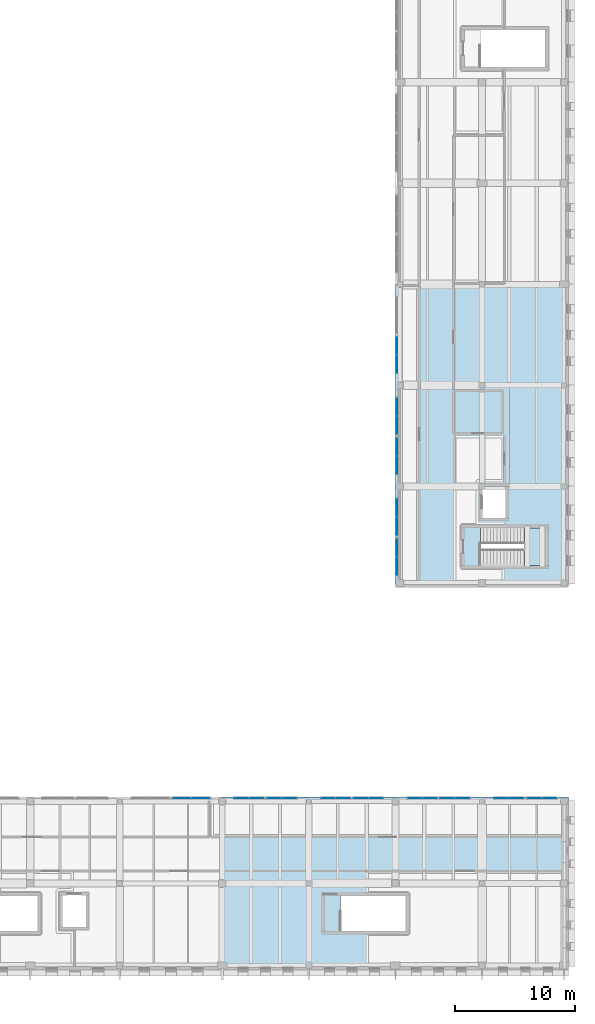
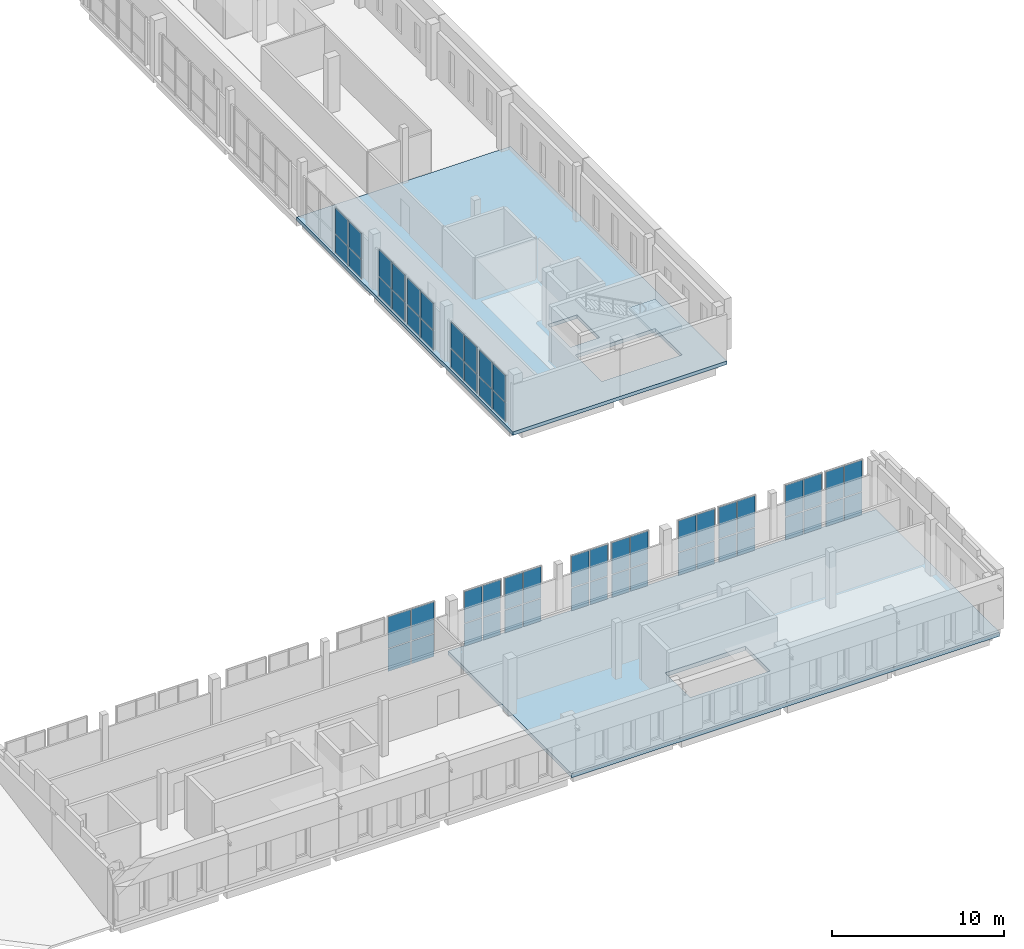
# One storey, part 33 of 56: 56 plates, 3 slabs, 15 elements without a shape of their own.
"""IFC4 building model written with IfcOpenShell, lengths in metres."""

from ifc_helpers import new_model, si_unit, direction, frame, origin, origin_2d, place, context, subcontext, project, spatial, polyline, rectangle, outline, extrude, material, layer, layer_set, type_object, element, aggregate, save


model = new_model("IFC4")

# Units and contexts
model_context = context("Model", 3, precision=1e-05, world=origin(), true_north=direction((0.0, 1.0)))
body_context = subcontext(model_context, "Body", "Model", "MODEL_VIEW")
ifc_project = project(units=[si_unit("LENGTHUNIT", "METRE"), si_unit("AREAUNIT", "SQUARE_METRE"), si_unit("VOLUMEUNIT", "CUBIC_METRE"), si_unit("PLANEANGLEUNIT", "RADIAN"), si_unit("MASSUNIT", "GRAM", prefix="KILO")], contexts=[model_context])

# Site, building, storey
site_placement = place(None, origin())
site = spatial("IfcSite", under=ifc_project, at=site_placement, CompositionType="ELEMENT")
building_placement = place(site_placement, origin())
building = spatial("IfcBuilding", under=site, at=building_placement, Name="Vardoun Plaza Health Centre", CompositionType="ELEMENT")
storey_placement = place(building_placement, frame((0.0, 0.0, 8.699951171875)))
storey = spatial("IfcBuildingStorey", under=building, at=storey_placement, Name="L02", CompositionType="ELEMENT", Elevation=8.699951171875)

# Curtain wall, plates
ifc_material_1 = material(Name="Aluminium Alloy EN AW-6063-T6 and Low-E Glass", Category="aluminium")
ifc_layer_1 = layer(ifc_material_1, 0.14990234375)
ifc_layer_set_1 = layer_set([ifc_layer_1], Name="Aluminium Alloy EN AW-6063-T6 and Low-E Glass")
curtain_wall_type_1 = type_object("IfcCurtainWallType", Name="CW-03", PredefinedType="NOTDEFINED", material=ifc_layer_set_1)
curtain_wall_1_placement = place(storey_placement, origin())
curtain_wall_1 = element("IfcCurtainWall", 1, at=curtain_wall_1_placement, inside=storey, type_object=curtain_wall_type_1, Name="Curtain Wall CW-V5-172", PredefinedType="NOTDEFINED")
ifc_material_2 = material(Name="Solar-Control Double Low-E Glazing", Category="glass")
ifc_layer_2 = layer(ifc_material_2, 0.028076171875)
ifc_layer_set_2 = layer_set([ifc_layer_2], Name="Solar-Control Double Low-E Glazing")
plate_type_1 = type_object("IfcPlateType", Name="CW-P1", PredefinedType="CURTAIN_PANEL", material=ifc_layer_set_2)
plate_1_placement = place(storey_placement, frame((133.139892578125, 18.780029296875, 0.06005859375), z_axis=(0.0, 0.0, 1.0), x_axis=(1.0, 0.0, 0.0)))
plate_1 = element("IfcPlate", 2, at=plate_1_placement, type_object=plate_type_1, Name="CW-V5-172 panel 1.1", PredefinedType="CURTAIN_PANEL", context=body_context, shape_type="SweptSolid", body=[
    extrude(rectangle(XDim=1.52001953125, YDim=0.028076171875, at=origin_2d()), origin(), (0.0, 0.0, 1.0), 1.592041015625),
])
plate_2_placement = place(storey_placement, frame((133.139892578125, 18.780029296875, 1.712158203125), z_axis=(0.0, 0.0, 1.0), x_axis=(1.0, 0.0, 0.0)))
plate_2 = element("IfcPlate", 3, at=plate_2_placement, type_object=plate_type_1, Name="CW-V5-172 panel 1.2", PredefinedType="CURTAIN_PANEL", context=body_context, shape_type="SweptSolid", body=[
    extrude(rectangle(XDim=1.52001953125, YDim=0.028076171875, at=origin_2d()), origin(), (0.0, 0.0, 1.0), 2.23291015625),
])
plate_3_placement = place(storey_placement, frame((134.719970703125, 18.780029296875, 0.06005859375), z_axis=(0.0, 0.0, 1.0), x_axis=(1.0, 0.0, 0.0)))
plate_3 = element("IfcPlate", 4, at=plate_3_placement, type_object=plate_type_1, Name="CW-V5-172 panel 2.1", PredefinedType="CURTAIN_PANEL", context=body_context, shape_type="SweptSolid", body=[
    extrude(rectangle(XDim=1.52001953125, YDim=0.028076171875, at=origin_2d()), origin(), (0.0, 0.0, 1.0), 1.592041015625),
])
plate_4_placement = place(storey_placement, frame((134.719970703125, 18.780029296875, 1.712158203125), z_axis=(0.0, 0.0, 1.0), x_axis=(1.0, 0.0, 0.0)))
plate_4 = element("IfcPlate", 5, at=plate_4_placement, type_object=plate_type_1, Name="CW-V5-172 panel 2.2", PredefinedType="CURTAIN_PANEL", context=body_context, shape_type="SweptSolid", body=[
    extrude(rectangle(XDim=1.52001953125, YDim=0.028076171875, at=origin_2d()), origin(), (0.0, 0.0, 1.0), 2.23291015625),
])
aggregate(curtain_wall_1, [plate_1, plate_2, plate_3, plate_4])

curtain_wall_2_placement = place(storey_placement, origin())
curtain_wall_2 = element("IfcCurtainWall", 6, at=curtain_wall_2_placement, inside=storey, type_object=curtain_wall_type_1, Name="Curtain Wall CW-V5-173", PredefinedType="NOTDEFINED")
plate_5_placement = place(storey_placement, frame((138.114990234375, 18.780029296875, 0.06005859375), z_axis=(0.0, 0.0, 1.0), x_axis=(1.0, 0.0, 0.0)))
plate_5 = element("IfcPlate", 7, at=plate_5_placement, type_object=plate_type_1, Name="CW-V5-173 panel 1.1", PredefinedType="CURTAIN_PANEL", context=body_context, shape_type="SweptSolid", body=[
    extrude(rectangle(XDim=1.18994140625, YDim=0.028076171875, at=origin_2d()), origin(), (0.0, 0.0, 1.0), 1.592041015625),
])
plate_6_placement = place(storey_placement, frame((138.114990234375, 18.780029296875, 1.712158203125), z_axis=(0.0, 0.0, 1.0), x_axis=(1.0, 0.0, 0.0)))
plate_6 = element("IfcPlate", 8, at=plate_6_placement, type_object=plate_type_1, Name="CW-V5-173 panel 1.2", PredefinedType="CURTAIN_PANEL", context=body_context, shape_type="SweptSolid", body=[
    extrude(rectangle(XDim=1.18994140625, YDim=0.028076171875, at=origin_2d()), origin(), (0.0, 0.0, 1.0), 2.23291015625),
])
plate_7_placement = place(storey_placement, frame((139.364990234375, 18.780029296875, 0.06005859375), z_axis=(0.0, 0.0, 1.0), x_axis=(1.0, 0.0, 0.0)))
plate_7 = element("IfcPlate", 9, at=plate_7_placement, type_object=plate_type_1, Name="CW-V5-173 panel 2.1", PredefinedType="CURTAIN_PANEL", context=body_context, shape_type="SweptSolid", body=[
    extrude(rectangle(XDim=1.18994140625, YDim=0.028076171875, at=origin_2d()), origin(), (0.0, 0.0, 1.0), 1.592041015625),
])
plate_8_placement = place(storey_placement, frame((139.364990234375, 18.780029296875, 1.712158203125), z_axis=(0.0, 0.0, 1.0), x_axis=(1.0, 0.0, 0.0)))
plate_8 = element("IfcPlate", 10, at=plate_8_placement, type_object=plate_type_1, Name="CW-V5-173 panel 2.2", PredefinedType="CURTAIN_PANEL", context=body_context, shape_type="SweptSolid", body=[
    extrude(rectangle(XDim=1.18994140625, YDim=0.028076171875, at=origin_2d()), origin(), (0.0, 0.0, 1.0), 2.23291015625),
])
aggregate(curtain_wall_2, [plate_5, plate_6, plate_7, plate_8])

curtain_wall_3_placement = place(storey_placement, origin())
curtain_wall_3 = element("IfcCurtainWall", 11, at=curtain_wall_3_placement, inside=storey, type_object=curtain_wall_type_1, Name="Curtain Wall CW-V5-174", PredefinedType="NOTDEFINED")
plate_9_placement = place(storey_placement, frame((140.8349609375, 18.780029296875, 0.06005859375), z_axis=(0.0, 0.0, 1.0), x_axis=(1.0, 0.0, 0.0)))
plate_9 = element("IfcPlate", 12, at=plate_9_placement, type_object=plate_type_1, Name="CW-V5-174 panel 1.1", PredefinedType="CURTAIN_PANEL", context=body_context, shape_type="SweptSolid", body=[
    extrude(rectangle(XDim=1.18994140625, YDim=0.028076171875, at=origin_2d()), origin(), (0.0, 0.0, 1.0), 1.592041015625),
])
plate_10_placement = place(storey_placement, frame((140.8349609375, 18.780029296875, 1.712158203125), z_axis=(0.0, 0.0, 1.0), x_axis=(1.0, 0.0, 0.0)))
plate_10 = element("IfcPlate", 13, at=plate_10_placement, type_object=plate_type_1, Name="CW-V5-174 panel 1.2", PredefinedType="CURTAIN_PANEL", context=body_context, shape_type="SweptSolid", body=[
    extrude(rectangle(XDim=1.18994140625, YDim=0.028076171875, at=origin_2d()), origin(), (0.0, 0.0, 1.0), 2.23291015625),
])
plate_11_placement = place(storey_placement, frame((142.0849609375, 18.780029296875, 0.06005859375), z_axis=(0.0, 0.0, 1.0), x_axis=(1.0, 0.0, 0.0)))
plate_11 = element("IfcPlate", 14, at=plate_11_placement, type_object=plate_type_1, Name="CW-V5-174 panel 2.1", PredefinedType="CURTAIN_PANEL", context=body_context, shape_type="SweptSolid", body=[
    extrude(rectangle(XDim=1.18994140625, YDim=0.028076171875, at=origin_2d()), origin(), (0.0, 0.0, 1.0), 1.592041015625),
])
plate_12_placement = place(storey_placement, frame((142.0849609375, 18.780029296875, 1.712158203125), z_axis=(0.0, 0.0, 1.0), x_axis=(1.0, 0.0, 0.0)))
plate_12 = element("IfcPlate", 15, at=plate_12_placement, type_object=plate_type_1, Name="CW-V5-174 panel 2.2", PredefinedType="CURTAIN_PANEL", context=body_context, shape_type="SweptSolid", body=[
    extrude(rectangle(XDim=1.18994140625, YDim=0.028076171875, at=origin_2d()), origin(), (0.0, 0.0, 1.0), 2.23291015625),
])
aggregate(curtain_wall_3, [plate_9, plate_10, plate_11, plate_12])

curtain_wall_4_placement = place(storey_placement, origin())
curtain_wall_4 = element("IfcCurtainWall", 16, at=curtain_wall_4_placement, inside=storey, type_object=curtain_wall_type_1, Name="Curtain Wall CW-V5-175", PredefinedType="NOTDEFINED")
plate_13_placement = place(storey_placement, frame((145.31494140625, 18.780029296875, 0.06005859375), z_axis=(0.0, 0.0, 1.0), x_axis=(1.0, 0.0, 0.0)))
plate_13 = element("IfcPlate", 17, at=plate_13_placement, type_object=plate_type_1, Name="CW-V5-175 panel 1.1", PredefinedType="CURTAIN_PANEL", context=body_context, shape_type="SweptSolid", body=[
    extrude(rectangle(XDim=1.18994140625, YDim=0.028076171875, at=origin_2d()), origin(), (0.0, 0.0, 1.0), 1.592041015625),
])
plate_14_placement = place(storey_placement, frame((145.31494140625, 18.780029296875, 1.712158203125), z_axis=(0.0, 0.0, 1.0), x_axis=(1.0, 0.0, 0.0)))
plate_14 = element("IfcPlate", 18, at=plate_14_placement, type_object=plate_type_1, Name="CW-V5-175 panel 1.2", PredefinedType="CURTAIN_PANEL", context=body_context, shape_type="SweptSolid", body=[
    extrude(rectangle(XDim=1.18994140625, YDim=0.028076171875, at=origin_2d()), origin(), (0.0, 0.0, 1.0), 2.23291015625),
])
plate_15_placement = place(storey_placement, frame((146.56494140625, 18.780029296875, 0.06005859375), z_axis=(0.0, 0.0, 1.0), x_axis=(1.0, 0.0, 0.0)))
plate_15 = element("IfcPlate", 19, at=plate_15_placement, type_object=plate_type_1, Name="CW-V5-175 panel 2.1", PredefinedType="CURTAIN_PANEL", context=body_context, shape_type="SweptSolid", body=[
    extrude(rectangle(XDim=1.18994140625, YDim=0.028076171875, at=origin_2d()), origin(), (0.0, 0.0, 1.0), 1.592041015625),
])
plate_16_placement = place(storey_placement, frame((146.56494140625, 18.780029296875, 1.712158203125), z_axis=(0.0, 0.0, 1.0), x_axis=(1.0, 0.0, 0.0)))
plate_16 = element("IfcPlate", 20, at=plate_16_placement, type_object=plate_type_1, Name="CW-V5-175 panel 2.2", PredefinedType="CURTAIN_PANEL", context=body_context, shape_type="SweptSolid", body=[
    extrude(rectangle(XDim=1.18994140625, YDim=0.028076171875, at=origin_2d()), origin(), (0.0, 0.0, 1.0), 2.23291015625),
])
aggregate(curtain_wall_4, [plate_13, plate_14, plate_15, plate_16])

curtain_wall_5_placement = place(storey_placement, origin())
curtain_wall_5 = element("IfcCurtainWall", 21, at=curtain_wall_5_placement, inside=storey, type_object=curtain_wall_type_1, Name="Curtain Wall CW-V5-176", PredefinedType="NOTDEFINED")
plate_17_placement = place(storey_placement, frame((148.034912109375, 18.780029296875, 0.06005859375), z_axis=(0.0, 0.0, 1.0), x_axis=(1.0, 0.0, 0.0)))
plate_17 = element("IfcPlate", 22, at=plate_17_placement, type_object=plate_type_1, Name="CW-V5-176 panel 1.1", PredefinedType="CURTAIN_PANEL", context=body_context, shape_type="SweptSolid", body=[
    extrude(rectangle(XDim=1.18994140625, YDim=0.028076171875, at=origin_2d()), origin(), (0.0, 0.0, 1.0), 1.592041015625),
])
plate_18_placement = place(storey_placement, frame((148.034912109375, 18.780029296875, 1.712158203125), z_axis=(0.0, 0.0, 1.0), x_axis=(1.0, 0.0, 0.0)))
plate_18 = element("IfcPlate", 23, at=plate_18_placement, type_object=plate_type_1, Name="CW-V5-176 panel 1.2", PredefinedType="CURTAIN_PANEL", context=body_context, shape_type="SweptSolid", body=[
    extrude(rectangle(XDim=1.18994140625, YDim=0.028076171875, at=origin_2d()), origin(), (0.0, 0.0, 1.0), 2.23291015625),
])
plate_19_placement = place(storey_placement, frame((149.284912109375, 18.780029296875, 0.06005859375), z_axis=(0.0, 0.0, 1.0), x_axis=(1.0, 0.0, 0.0)))
plate_19 = element("IfcPlate", 24, at=plate_19_placement, type_object=plate_type_1, Name="CW-V5-176 panel 2.1", PredefinedType="CURTAIN_PANEL", context=body_context, shape_type="SweptSolid", body=[
    extrude(rectangle(XDim=1.18994140625, YDim=0.028076171875, at=origin_2d()), origin(), (0.0, 0.0, 1.0), 1.592041015625),
])
plate_20_placement = place(storey_placement, frame((149.284912109375, 18.780029296875, 1.712158203125), z_axis=(0.0, 0.0, 1.0), x_axis=(1.0, 0.0, 0.0)))
plate_20 = element("IfcPlate", 25, at=plate_20_placement, type_object=plate_type_1, Name="CW-V5-176 panel 2.2", PredefinedType="CURTAIN_PANEL", context=body_context, shape_type="SweptSolid", body=[
    extrude(rectangle(XDim=1.18994140625, YDim=0.028076171875, at=origin_2d()), origin(), (0.0, 0.0, 1.0), 2.23291015625),
])
aggregate(curtain_wall_5, [plate_17, plate_18, plate_19, plate_20])

curtain_wall_6_placement = place(storey_placement, origin())
curtain_wall_6 = element("IfcCurtainWall", 26, at=curtain_wall_6_placement, inside=storey, type_object=curtain_wall_type_1, Name="Curtain Wall CW-V5-177", PredefinedType="NOTDEFINED")
plate_21_placement = place(storey_placement, frame((152.514892578125, 18.780029296875, 0.06005859375), z_axis=(0.0, 0.0, 1.0), x_axis=(1.0, 0.0, 0.0)))
plate_21 = element("IfcPlate", 27, at=plate_21_placement, type_object=plate_type_1, Name="CW-V5-177 panel 1.1", PredefinedType="CURTAIN_PANEL", context=body_context, shape_type="SweptSolid", body=[
    extrude(rectangle(XDim=1.18994140625, YDim=0.028076171875, at=origin_2d()), origin(), (0.0, 0.0, 1.0), 1.592041015625),
])
plate_22_placement = place(storey_placement, frame((152.514892578125, 18.780029296875, 1.712158203125), z_axis=(0.0, 0.0, 1.0), x_axis=(1.0, 0.0, 0.0)))
plate_22 = element("IfcPlate", 28, at=plate_22_placement, type_object=plate_type_1, Name="CW-V5-177 panel 1.2", PredefinedType="CURTAIN_PANEL", context=body_context, shape_type="SweptSolid", body=[
    extrude(rectangle(XDim=1.18994140625, YDim=0.028076171875, at=origin_2d()), origin(), (0.0, 0.0, 1.0), 2.23291015625),
])
plate_23_placement = place(storey_placement, frame((153.764892578125, 18.780029296875, 0.06005859375), z_axis=(0.0, 0.0, 1.0), x_axis=(1.0, 0.0, 0.0)))
plate_23 = element("IfcPlate", 29, at=plate_23_placement, type_object=plate_type_1, Name="CW-V5-177 panel 2.1", PredefinedType="CURTAIN_PANEL", context=body_context, shape_type="SweptSolid", body=[
    extrude(rectangle(XDim=1.18994140625, YDim=0.028076171875, at=origin_2d()), origin(), (0.0, 0.0, 1.0), 1.592041015625),
])
plate_24_placement = place(storey_placement, frame((153.764892578125, 18.780029296875, 1.712158203125), z_axis=(0.0, 0.0, 1.0), x_axis=(1.0, 0.0, 0.0)))
plate_24 = element("IfcPlate", 30, at=plate_24_placement, type_object=plate_type_1, Name="CW-V5-177 panel 2.2", PredefinedType="CURTAIN_PANEL", context=body_context, shape_type="SweptSolid", body=[
    extrude(rectangle(XDim=1.18994140625, YDim=0.028076171875, at=origin_2d()), origin(), (0.0, 0.0, 1.0), 2.23291015625),
])
aggregate(curtain_wall_6, [plate_21, plate_22, plate_23, plate_24])

curtain_wall_7_placement = place(storey_placement, origin())
curtain_wall_7 = element("IfcCurtainWall", 31, at=curtain_wall_7_placement, inside=storey, type_object=curtain_wall_type_1, Name="Curtain Wall CW-V5-178", PredefinedType="NOTDEFINED")
plate_25_placement = place(storey_placement, frame((155.235107421875, 18.780029296875, 0.06005859375), z_axis=(0.0, 0.0, 1.0), x_axis=(1.0, 0.0, 0.0)))
plate_25 = element("IfcPlate", 32, at=plate_25_placement, type_object=plate_type_1, Name="CW-V5-178 panel 1.1", PredefinedType="CURTAIN_PANEL", context=body_context, shape_type="SweptSolid", body=[
    extrude(rectangle(XDim=1.18994140625, YDim=0.028076171875, at=origin_2d()), origin(), (0.0, 0.0, 1.0), 1.592041015625),
])
plate_26_placement = place(storey_placement, frame((155.235107421875, 18.780029296875, 1.712158203125), z_axis=(0.0, 0.0, 1.0), x_axis=(1.0, 0.0, 0.0)))
plate_26 = element("IfcPlate", 33, at=plate_26_placement, type_object=plate_type_1, Name="CW-V5-178 panel 1.2", PredefinedType="CURTAIN_PANEL", context=body_context, shape_type="SweptSolid", body=[
    extrude(rectangle(XDim=1.18994140625, YDim=0.028076171875, at=origin_2d()), origin(), (0.0, 0.0, 1.0), 2.23291015625),
])
plate_27_placement = place(storey_placement, frame((156.485107421875, 18.780029296875, 0.06005859375), z_axis=(0.0, 0.0, 1.0), x_axis=(1.0, 0.0, 0.0)))
plate_27 = element("IfcPlate", 34, at=plate_27_placement, type_object=plate_type_1, Name="CW-V5-178 panel 2.1", PredefinedType="CURTAIN_PANEL", context=body_context, shape_type="SweptSolid", body=[
    extrude(rectangle(XDim=1.18994140625, YDim=0.028076171875, at=origin_2d()), origin(), (0.0, 0.0, 1.0), 1.592041015625),
])
plate_28_placement = place(storey_placement, frame((156.485107421875, 18.780029296875, 1.712158203125), z_axis=(0.0, 0.0, 1.0), x_axis=(1.0, 0.0, 0.0)))
plate_28 = element("IfcPlate", 35, at=plate_28_placement, type_object=plate_type_1, Name="CW-V5-178 panel 2.2", PredefinedType="CURTAIN_PANEL", context=body_context, shape_type="SweptSolid", body=[
    extrude(rectangle(XDim=1.18994140625, YDim=0.028076171875, at=origin_2d()), origin(), (0.0, 0.0, 1.0), 2.23291015625),
])
aggregate(curtain_wall_7, [plate_25, plate_26, plate_27, plate_28])

curtain_wall_8_placement = place(storey_placement, origin())
curtain_wall_8 = element("IfcCurtainWall", 36, at=curtain_wall_8_placement, inside=storey, type_object=curtain_wall_type_1, Name="Curtain Wall CW-V5-179", PredefinedType="NOTDEFINED")
plate_29_placement = place(storey_placement, frame((159.715087890625, 18.780029296875, 0.06005859375), z_axis=(0.0, 0.0, 1.0), x_axis=(1.0, 0.0, 0.0)))
plate_29 = element("IfcPlate", 37, at=plate_29_placement, type_object=plate_type_1, Name="CW-V5-179 panel 1.1", PredefinedType="CURTAIN_PANEL", context=body_context, shape_type="SweptSolid", body=[
    extrude(rectangle(XDim=1.18994140625, YDim=0.028076171875, at=origin_2d()), origin(), (0.0, 0.0, 1.0), 1.592041015625),
])
plate_30_placement = place(storey_placement, frame((159.715087890625, 18.780029296875, 1.712158203125), z_axis=(0.0, 0.0, 1.0), x_axis=(1.0, 0.0, 0.0)))
plate_30 = element("IfcPlate", 38, at=plate_30_placement, type_object=plate_type_1, Name="CW-V5-179 panel 1.2", PredefinedType="CURTAIN_PANEL", context=body_context, shape_type="SweptSolid", body=[
    extrude(rectangle(XDim=1.18994140625, YDim=0.028076171875, at=origin_2d()), origin(), (0.0, 0.0, 1.0), 2.23291015625),
])
plate_31_placement = place(storey_placement, frame((160.965087890625, 18.780029296875, 0.06005859375), z_axis=(0.0, 0.0, 1.0), x_axis=(1.0, 0.0, 0.0)))
plate_31 = element("IfcPlate", 39, at=plate_31_placement, type_object=plate_type_1, Name="CW-V5-179 panel 2.1", PredefinedType="CURTAIN_PANEL", context=body_context, shape_type="SweptSolid", body=[
    extrude(rectangle(XDim=1.18994140625, YDim=0.028076171875, at=origin_2d()), origin(), (0.0, 0.0, 1.0), 1.592041015625),
])
plate_32_placement = place(storey_placement, frame((160.965087890625, 18.780029296875, 1.712158203125), z_axis=(0.0, 0.0, 1.0), x_axis=(1.0, 0.0, 0.0)))
plate_32 = element("IfcPlate", 40, at=plate_32_placement, type_object=plate_type_1, Name="CW-V5-179 panel 2.2", PredefinedType="CURTAIN_PANEL", context=body_context, shape_type="SweptSolid", body=[
    extrude(rectangle(XDim=1.18994140625, YDim=0.028076171875, at=origin_2d()), origin(), (0.0, 0.0, 1.0), 2.23291015625),
])
aggregate(curtain_wall_8, [plate_29, plate_30, plate_31, plate_32])

curtain_wall_9_placement = place(storey_placement, origin())
curtain_wall_9 = element("IfcCurtainWall", 41, at=curtain_wall_9_placement, inside=storey, type_object=curtain_wall_type_1, Name="Curtain Wall CW-V5-180", PredefinedType="NOTDEFINED")
plate_33_placement = place(storey_placement, frame((162.43505859375, 18.780029296875, 0.06005859375), z_axis=(0.0, 0.0, 1.0), x_axis=(1.0, 0.0, 0.0)))
plate_33 = element("IfcPlate", 42, at=plate_33_placement, type_object=plate_type_1, Name="CW-V5-180 panel 1.1", PredefinedType="CURTAIN_PANEL", context=body_context, shape_type="SweptSolid", body=[
    extrude(rectangle(XDim=1.18994140625, YDim=0.028076171875, at=origin_2d()), origin(), (0.0, 0.0, 1.0), 1.592041015625),
])
plate_34_placement = place(storey_placement, frame((162.43505859375, 18.780029296875, 1.712158203125), z_axis=(0.0, 0.0, 1.0), x_axis=(1.0, 0.0, 0.0)))
plate_34 = element("IfcPlate", 43, at=plate_34_placement, type_object=plate_type_1, Name="CW-V5-180 panel 1.2", PredefinedType="CURTAIN_PANEL", context=body_context, shape_type="SweptSolid", body=[
    extrude(rectangle(XDim=1.18994140625, YDim=0.028076171875, at=origin_2d()), origin(), (0.0, 0.0, 1.0), 2.23291015625),
])
plate_35_placement = place(storey_placement, frame((163.68505859375, 18.780029296875, 0.06005859375), z_axis=(0.0, 0.0, 1.0), x_axis=(1.0, 0.0, 0.0)))
plate_35 = element("IfcPlate", 44, at=plate_35_placement, type_object=plate_type_1, Name="CW-V5-180 panel 2.1", PredefinedType="CURTAIN_PANEL", context=body_context, shape_type="SweptSolid", body=[
    extrude(rectangle(XDim=1.18994140625, YDim=0.028076171875, at=origin_2d()), origin(), (0.0, 0.0, 1.0), 1.592041015625),
])
plate_36_placement = place(storey_placement, frame((163.68505859375, 18.780029296875, 1.712158203125), z_axis=(0.0, 0.0, 1.0), x_axis=(1.0, 0.0, 0.0)))
plate_36 = element("IfcPlate", 45, at=plate_36_placement, type_object=plate_type_1, Name="CW-V5-180 panel 2.2", PredefinedType="CURTAIN_PANEL", context=body_context, shape_type="SweptSolid", body=[
    extrude(rectangle(XDim=1.18994140625, YDim=0.028076171875, at=origin_2d()), origin(), (0.0, 0.0, 1.0), 2.23291015625),
])
aggregate(curtain_wall_9, [plate_33, plate_34, plate_35, plate_36])

ifc_material_3 = material(Name="Aluminium Alloy EN AW-6063-T6 and Low-E Glass", Category="aluminium")
ifc_layer_3 = layer(ifc_material_3, 0.179931640625)
ifc_layer_set_3 = layer_set([ifc_layer_3], Name="Aluminium Alloy EN AW-6063-T6 and Low-E Glass")
curtain_wall_type_2 = type_object("IfcCurtainWallType", Name="CW-01", PredefinedType="USERDEFINED", material=ifc_layer_set_3)
curtain_wall_10_placement = place(storey_placement, origin())
curtain_wall_10 = element("IfcCurtainWall", 46, at=curtain_wall_10_placement, inside=storey, type_object=curtain_wall_type_2, Name="Curtain Wall CW-V6-215", ObjectType="CONCOURSE_CURTAIN_WALL", PredefinedType="USERDEFINED")
ifc_material_4 = material(Name="Acoustic Laminated Double Low-E Glazing", Category="glass")
ifc_layer_4 = layer(ifc_material_4, 0.031982421875)
ifc_layer_set_4 = layer_set([ifc_layer_4], Name="Acoustic Laminated Double Low-E Glazing")
plate_type_2 = type_object("IfcPlateType", Name="CW-P2", PredefinedType="CURTAIN_PANEL", material=ifc_layer_set_4)
plate_37_placement = place(storey_placement, frame((151.02001953125, 38.066162109375, 0.06494140625), z_axis=(0.0, 0.0, 1.0), x_axis=(0.0, 1.0, 0.0)))
plate_37 = element("IfcPlate", 47, at=plate_37_placement, type_object=plate_type_2, Name="CW-V6-215 panel 1.1", PredefinedType="CURTAIN_PANEL", context=body_context, shape_type="SweptSolid", body=[
    extrude(rectangle(XDim=1.482421875, YDim=0.031982421875, at=origin_2d()), origin(), (0.0, 0.0, 1.0), 1.32421875),
])
plate_38_placement = place(storey_placement, frame((151.02001953125, 38.066162109375, 1.454345703125), z_axis=(0.0, 0.0, 1.0), x_axis=(0.0, 1.0, 0.0)))
plate_38 = element("IfcPlate", 48, at=plate_38_placement, type_object=plate_type_2, Name="CW-V6-215 panel 1.2", PredefinedType="CURTAIN_PANEL", context=body_context, shape_type="SweptSolid", body=[
    extrude(rectangle(XDim=1.482421875, YDim=0.031982421875, at=origin_2d()), origin(), (0.0, 0.0, 1.0), 1.86572265625),
])
plate_39_placement = place(storey_placement, frame((151.02001953125, 39.61376953125, 0.06494140625), z_axis=(0.0, 0.0, 1.0), x_axis=(0.0, 1.0, 0.0)))
plate_39 = element("IfcPlate", 49, at=plate_39_placement, type_object=plate_type_2, Name="CW-V6-215 panel 2.1", PredefinedType="CURTAIN_PANEL", context=body_context, shape_type="SweptSolid", body=[
    extrude(rectangle(XDim=1.482421875, YDim=0.031982421875, at=origin_2d()), origin(), (0.0, 0.0, 1.0), 1.32421875),
])
plate_40_placement = place(storey_placement, frame((151.02001953125, 39.61376953125, 1.454345703125), z_axis=(0.0, 0.0, 1.0), x_axis=(0.0, 1.0, 0.0)))
plate_40 = element("IfcPlate", 50, at=plate_40_placement, type_object=plate_type_2, Name="CW-V6-215 panel 2.2", PredefinedType="CURTAIN_PANEL", context=body_context, shape_type="SweptSolid", body=[
    extrude(rectangle(XDim=1.482421875, YDim=0.031982421875, at=origin_2d()), origin(), (0.0, 0.0, 1.0), 1.86572265625),
])
aggregate(curtain_wall_10, [plate_37, plate_38, plate_39, plate_40])

curtain_wall_11_placement = place(storey_placement, origin())
curtain_wall_11 = element("IfcCurtainWall", 51, at=curtain_wall_11_placement, inside=storey, type_object=curtain_wall_type_2, Name="Curtain Wall CW-V6-216", ObjectType="CONCOURSE_CURTAIN_WALL", PredefinedType="USERDEFINED")
plate_41_placement = place(storey_placement, frame((151.02001953125, 41.38623046875, 0.06494140625), z_axis=(0.0, 0.0, 1.0), x_axis=(0.0, 1.0, 0.0)))
plate_41 = element("IfcPlate", 52, at=plate_41_placement, type_object=plate_type_2, Name="CW-V6-216 panel 1.1", PredefinedType="CURTAIN_PANEL", context=body_context, shape_type="SweptSolid", body=[
    extrude(rectangle(XDim=1.482421875, YDim=0.031982421875, at=origin_2d()), origin(), (0.0, 0.0, 1.0), 1.32421875),
])
plate_42_placement = place(storey_placement, frame((151.02001953125, 41.38623046875, 1.454345703125), z_axis=(0.0, 0.0, 1.0), x_axis=(0.0, 1.0, 0.0)))
plate_42 = element("IfcPlate", 53, at=plate_42_placement, type_object=plate_type_2, Name="CW-V6-216 panel 1.2", PredefinedType="CURTAIN_PANEL", context=body_context, shape_type="SweptSolid", body=[
    extrude(rectangle(XDim=1.482421875, YDim=0.031982421875, at=origin_2d()), origin(), (0.0, 0.0, 1.0), 1.86572265625),
])
plate_43_placement = place(storey_placement, frame((151.02001953125, 42.933837890625, 0.06494140625), z_axis=(0.0, 0.0, 1.0), x_axis=(0.0, 1.0, 0.0)))
plate_43 = element("IfcPlate", 54, at=plate_43_placement, type_object=plate_type_2, Name="CW-V6-216 panel 2.1", PredefinedType="CURTAIN_PANEL", context=body_context, shape_type="SweptSolid", body=[
    extrude(rectangle(XDim=1.482421875, YDim=0.031982421875, at=origin_2d()), origin(), (0.0, 0.0, 1.0), 1.32421875),
])
plate_44_placement = place(storey_placement, frame((151.02001953125, 42.933837890625, 1.454345703125), z_axis=(0.0, 0.0, 1.0), x_axis=(0.0, 1.0, 0.0)))
plate_44 = element("IfcPlate", 55, at=plate_44_placement, type_object=plate_type_2, Name="CW-V6-216 panel 2.2", PredefinedType="CURTAIN_PANEL", context=body_context, shape_type="SweptSolid", body=[
    extrude(rectangle(XDim=1.482421875, YDim=0.031982421875, at=origin_2d()), origin(), (0.0, 0.0, 1.0), 1.86572265625),
])
aggregate(curtain_wall_11, [plate_41, plate_42, plate_43, plate_44])

curtain_wall_12_placement = place(storey_placement, origin())
curtain_wall_12 = element("IfcCurtainWall", 56, at=curtain_wall_12_placement, inside=storey, type_object=curtain_wall_type_2, Name="Curtain Wall CW-V6-217", ObjectType="CONCOURSE_CURTAIN_WALL", PredefinedType="USERDEFINED")
plate_45_placement = place(storey_placement, frame((151.02001953125, 46.46630859375, 0.06494140625), z_axis=(0.0, 0.0, 1.0), x_axis=(0.0, 1.0, 0.0)))
plate_45 = element("IfcPlate", 57, at=plate_45_placement, type_object=plate_type_2, Name="CW-V6-217 panel 1.1", PredefinedType="CURTAIN_PANEL", context=body_context, shape_type="SweptSolid", body=[
    extrude(rectangle(XDim=1.482421875, YDim=0.031982421875, at=origin_2d()), origin(), (0.0, 0.0, 1.0), 1.34521484375),
])
plate_46_placement = place(storey_placement, frame((151.02001953125, 46.46630859375, 1.47509765625), z_axis=(0.0, 0.0, 1.0), x_axis=(0.0, 1.0, 0.0)))
plate_46 = element("IfcPlate", 58, at=plate_46_placement, type_object=plate_type_2, Name="CW-V6-217 panel 1.2", PredefinedType="CURTAIN_PANEL", context=body_context, shape_type="SweptSolid", body=[
    extrude(rectangle(XDim=1.482421875, YDim=0.031982421875, at=origin_2d()), origin(), (0.0, 0.0, 1.0), 1.894775390625),
])
plate_47_placement = place(storey_placement, frame((151.02001953125, 48.013671875, 0.06494140625), z_axis=(0.0, 0.0, 1.0), x_axis=(0.0, 1.0, 0.0)))
plate_47 = element("IfcPlate", 59, at=plate_47_placement, type_object=plate_type_2, Name="CW-V6-217 panel 2.1", PredefinedType="CURTAIN_PANEL", context=body_context, shape_type="SweptSolid", body=[
    extrude(rectangle(XDim=1.482421875, YDim=0.031982421875, at=origin_2d()), origin(), (0.0, 0.0, 1.0), 1.34521484375),
])
plate_48_placement = place(storey_placement, frame((151.02001953125, 48.013671875, 1.47509765625), z_axis=(0.0, 0.0, 1.0), x_axis=(0.0, 1.0, 0.0)))
plate_48 = element("IfcPlate", 60, at=plate_48_placement, type_object=plate_type_2, Name="CW-V6-217 panel 2.2", PredefinedType="CURTAIN_PANEL", context=body_context, shape_type="SweptSolid", body=[
    extrude(rectangle(XDim=1.482421875, YDim=0.031982421875, at=origin_2d()), origin(), (0.0, 0.0, 1.0), 1.894775390625),
])
aggregate(curtain_wall_12, [plate_45, plate_46, plate_47, plate_48])

curtain_wall_13_placement = place(storey_placement, origin())
curtain_wall_13 = element("IfcCurtainWall", 61, at=curtain_wall_13_placement, inside=storey, type_object=curtain_wall_type_2, Name="Curtain Wall CW-V6-218", ObjectType="CONCOURSE_CURTAIN_WALL", PredefinedType="USERDEFINED")
plate_49_placement = place(storey_placement, frame((151.02001953125, 49.7861328125, 0.06494140625), z_axis=(0.0, 0.0, 1.0), x_axis=(0.0, 1.0, 0.0)))
plate_49 = element("IfcPlate", 62, at=plate_49_placement, type_object=plate_type_2, Name="CW-V6-218 panel 1.1", PredefinedType="CURTAIN_PANEL", context=body_context, shape_type="SweptSolid", body=[
    extrude(rectangle(XDim=1.482421875, YDim=0.031982421875, at=origin_2d()), origin(), (0.0, 0.0, 1.0), 1.34521484375),
])
plate_50_placement = place(storey_placement, frame((151.02001953125, 49.7861328125, 1.47509765625), z_axis=(0.0, 0.0, 1.0), x_axis=(0.0, 1.0, 0.0)))
plate_50 = element("IfcPlate", 63, at=plate_50_placement, type_object=plate_type_2, Name="CW-V6-218 panel 1.2", PredefinedType="CURTAIN_PANEL", context=body_context, shape_type="SweptSolid", body=[
    extrude(rectangle(XDim=1.482421875, YDim=0.031982421875, at=origin_2d()), origin(), (0.0, 0.0, 1.0), 1.894775390625),
])
plate_51_placement = place(storey_placement, frame((151.02001953125, 51.333740234375, 0.06494140625), z_axis=(0.0, 0.0, 1.0), x_axis=(0.0, 1.0, 0.0)))
plate_51 = element("IfcPlate", 64, at=plate_51_placement, type_object=plate_type_2, Name="CW-V6-218 panel 2.1", PredefinedType="CURTAIN_PANEL", context=body_context, shape_type="SweptSolid", body=[
    extrude(rectangle(XDim=1.482421875, YDim=0.031982421875, at=origin_2d()), origin(), (0.0, 0.0, 1.0), 1.34521484375),
])
plate_52_placement = place(storey_placement, frame((151.02001953125, 51.333740234375, 1.47509765625), z_axis=(0.0, 0.0, 1.0), x_axis=(0.0, 1.0, 0.0)))
plate_52 = element("IfcPlate", 65, at=plate_52_placement, type_object=plate_type_2, Name="CW-V6-218 panel 2.2", PredefinedType="CURTAIN_PANEL", context=body_context, shape_type="SweptSolid", body=[
    extrude(rectangle(XDim=1.482421875, YDim=0.031982421875, at=origin_2d()), origin(), (0.0, 0.0, 1.0), 1.894775390625),
])
aggregate(curtain_wall_13, [plate_49, plate_50, plate_51, plate_52])

curtain_wall_14_placement = place(storey_placement, origin())
curtain_wall_14 = element("IfcCurtainWall", 66, at=curtain_wall_14_placement, inside=storey, type_object=curtain_wall_type_2, Name="Curtain Wall CW-V6-219", ObjectType="CONCOURSE_CURTAIN_WALL", PredefinedType="USERDEFINED")
plate_53_placement = place(storey_placement, frame((151.02001953125, 54.8662109375, 0.06494140625), z_axis=(0.0, 0.0, 1.0), x_axis=(0.0, 1.0, 0.0)))
plate_53 = element("IfcPlate", 67, at=plate_53_placement, type_object=plate_type_2, Name="CW-V6-219 panel 1.1", PredefinedType="CURTAIN_PANEL", context=body_context, shape_type="SweptSolid", body=[
    extrude(rectangle(XDim=1.482421875, YDim=0.031982421875, at=origin_2d()), origin(), (0.0, 0.0, 1.0), 1.294921875),
])
plate_54_placement = place(storey_placement, frame((151.02001953125, 54.8662109375, 1.4248046875), z_axis=(0.0, 0.0, 1.0), x_axis=(0.0, 1.0, 0.0)))
plate_54 = element("IfcPlate", 68, at=plate_54_placement, type_object=plate_type_2, Name="CW-V6-219 panel 1.2", PredefinedType="CURTAIN_PANEL", context=body_context, shape_type="SweptSolid", body=[
    extrude(rectangle(XDim=1.482421875, YDim=0.031982421875, at=origin_2d()), origin(), (0.0, 0.0, 1.0), 1.8251953125),
])
plate_55_placement = place(storey_placement, frame((151.02001953125, 56.413818359375, 0.06494140625), z_axis=(0.0, 0.0, 1.0), x_axis=(0.0, 1.0, 0.0)))
plate_55 = element("IfcPlate", 69, at=plate_55_placement, type_object=plate_type_2, Name="CW-V6-219 panel 2.1", PredefinedType="CURTAIN_PANEL", context=body_context, shape_type="SweptSolid", body=[
    extrude(rectangle(XDim=1.482421875, YDim=0.031982421875, at=origin_2d()), origin(), (0.0, 0.0, 1.0), 1.294921875),
])
plate_56_placement = place(storey_placement, frame((151.02001953125, 56.413818359375, 1.4248046875), z_axis=(0.0, 0.0, 1.0), x_axis=(0.0, 1.0, 0.0)))
plate_56 = element("IfcPlate", 70, at=plate_56_placement, type_object=plate_type_2, Name="CW-V6-219 panel 2.2", PredefinedType="CURTAIN_PANEL", context=body_context, shape_type="SweptSolid", body=[
    extrude(rectangle(XDim=1.482421875, YDim=0.031982421875, at=origin_2d()), origin(), (0.0, 0.0, 1.0), 1.8251953125),
])
aggregate(curtain_wall_14, [plate_53, plate_54, plate_55, plate_56])

# Stair, slab
ifc_material_5 = material(Name="Concrete C35/45", Category="concrete")
stair_type = type_object("IfcStairType", Name="ST-01", PredefinedType="HALF_TURN_STAIR", material=ifc_material_5)
stair_placement = place(storey_placement, origin())
stair = element("IfcStair", 71, at=stair_placement, inside=storey, type_object=stair_type, Name="Core C10 L02 Exit Stair ST-C10-L02", PredefinedType="HALF_TURN_STAIR")
ifc_material_6 = material(Name="Concrete C35/45", Category="concrete")
ifc_layer_5 = layer(ifc_material_6, 0.199951171875)
ifc_layer_set_5 = layer_set([ifc_layer_5], Name="Concrete C35/45")
slab_type_1 = type_object("IfcSlabType", Name="SL-LD", PredefinedType="LANDING", material=ifc_layer_set_5)
slab_1_placement = place(storey_placement, frame((0.0, 0.0, 1.900146484375)))
slab_1 = element("IfcSlab", 72, at=slab_1_placement, type_object=slab_type_1, Name="ST-C10-L02 landing 1", PredefinedType="LANDING", context=body_context, shape_type="SweptSolid", body=[
    extrude(outline(polyline([(161.58935546875, 38.14990234375), (163.35009765625, 38.14990234375), (163.35009765625, 41.25), (161.58935546875, 41.25), (161.58935546875, 38.14990234375)])), origin(), (0.0, 0.0, 1.0), 0.199951171875),
])
aggregate(stair, [slab_1])

# Slabs
ifc_material_7 = material(Name="Concrete C35/45", Category="concrete")
ifc_layer_6 = layer(ifc_material_7, 0.25)
ifc_layer_set_6 = layer_set([ifc_layer_6], Name="Concrete C35/45")
slab_type_2 = type_object("IfcSlabType", Name="SL-01", PredefinedType="FLOOR", material=ifc_layer_set_6)
slab_2_placement = place(storey_placement, frame((0.0, 0.0, -0.25)))
element("IfcSlab", 73, at=slab_2_placement, inside=storey, type_object=slab_type_2, Name="V6 L02 Structural Slab S", PredefinedType="FLOOR", context=body_context, shape_type="SweptSolid", body=[
    extrude(outline(polyline([(150.89990234375, 36.300048828125), (165.300048828125, 36.300048828125), (165.300048828125, 61.5), (150.89990234375, 61.5), (150.89990234375, 36.300048828125)]), holes=[polyline([(157.95068359375, 38.14990234375), (163.35009765625, 38.14990234375), (163.35009765625, 41.25), (157.95068359375, 41.25), (157.95068359375, 38.14990234375)]), polyline([(158.1201171875, 42.070068359375), (160.080078125, 42.070068359375), (160.080078125, 44.72998046875), (158.1201171875, 44.72998046875), (158.1201171875, 42.070068359375)])]), origin(), (0.0, 0.0, 1.0), 0.25),
])
ifc_material_8 = material(Name="Concrete C35/45", Category="concrete")
ifc_layer_7 = layer(ifc_material_8, 0.294921875)
ifc_layer_set_7 = layer_set([ifc_layer_7], Name="Concrete C35/45")
slab_type_3 = type_object("IfcSlabType", Name="SL-04", PredefinedType="FLOOR", material=ifc_layer_set_7)
slab_3_placement = place(storey_placement, frame((0.0, 0.0, -0.294921875)))
element("IfcSlab", 74, at=slab_3_placement, inside=storey, type_object=slab_type_3, Name="V5 L02 Structural Slab B", PredefinedType="FLOOR", context=body_context, shape_type="SweptSolid", body=[
    extrude(outline(polyline([(136.5, 4.5), (165.300048828125, 4.5), (165.300048828125, 18.89990234375), (136.5, 18.89990234375), (136.5, 4.5)]), holes=[polyline([(146.3505859375, 7.75), (151.75, 7.75), (151.75, 10.64990234375), (146.3505859375, 10.64990234375), (146.3505859375, 7.75)])]), origin(), (0.0, 0.0, 1.0), 0.294921875),
])

save(model, "model.ifc")
